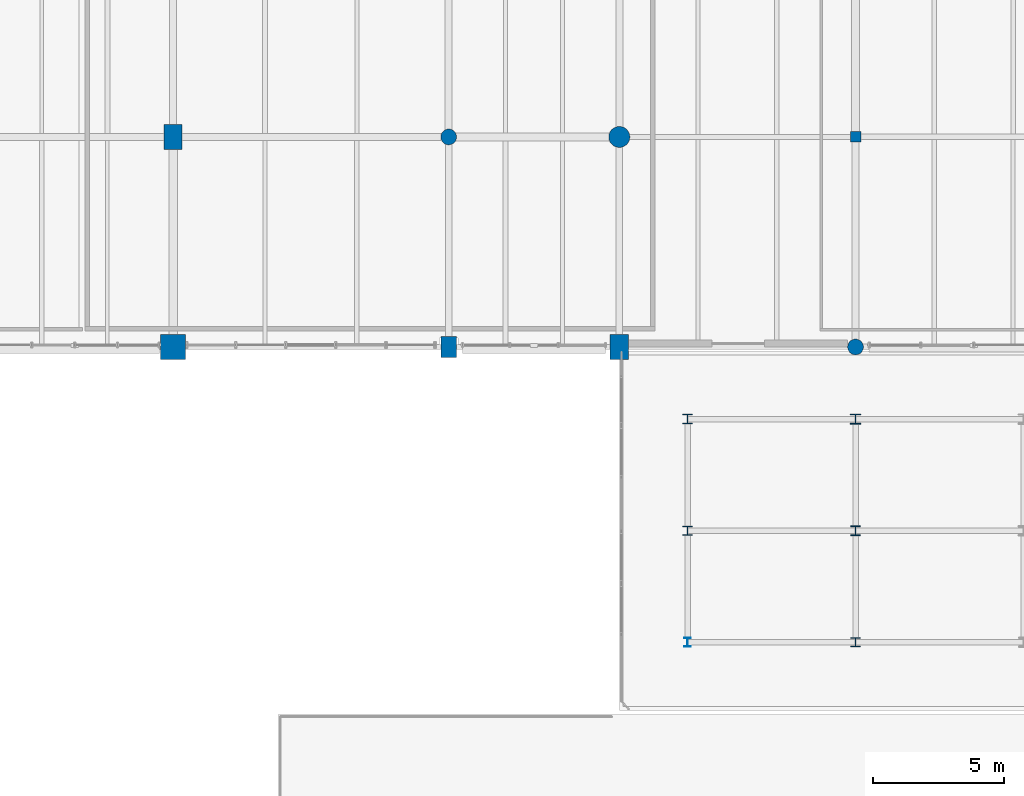
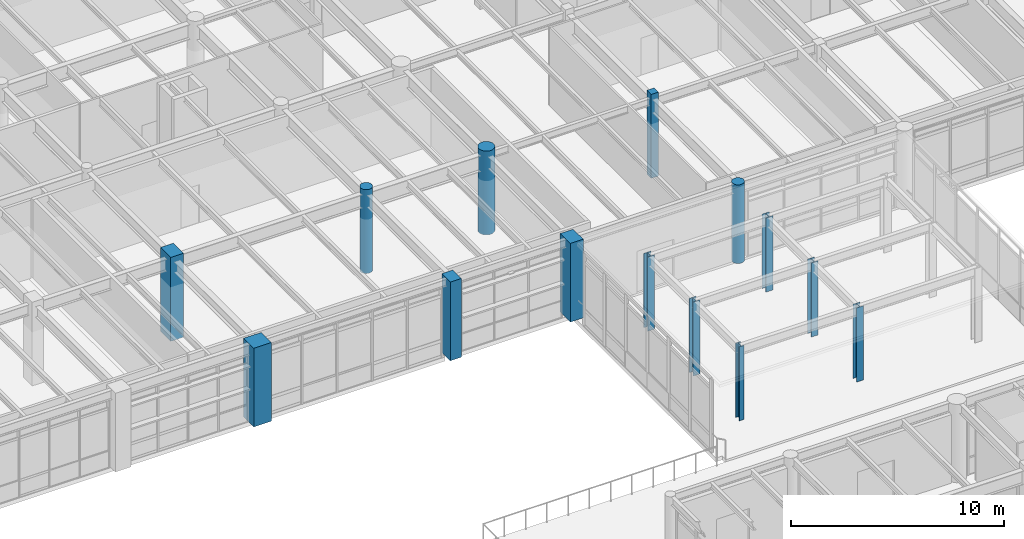
# One storey, part 6 of 200: 14 columns.
"""IFC4 building model written with IfcOpenShell, lengths in metres."""

from ifc_helpers import new_model, si_unit, direction, frame, origin, origin_2d, place, context, subcontext, project, spatial, rectangle, circle, i_section, extrude, material, material_profile, profile_set, type_object, element, save


model = new_model("IFC4")

# Units and contexts
model_context = context("Model", 3, precision=1e-05, world=origin(), true_north=direction((0.0, 1.0)))
body_context = subcontext(model_context, "Body", "Model", "MODEL_VIEW")
ifc_project = project(units=[si_unit("LENGTHUNIT", "METRE"), si_unit("AREAUNIT", "SQUARE_METRE"), si_unit("VOLUMEUNIT", "CUBIC_METRE"), si_unit("PLANEANGLEUNIT", "RADIAN"), si_unit("MASSUNIT", "GRAM", prefix="KILO"), si_unit("THERMODYNAMICTEMPERATUREUNIT", "KELVIN"), si_unit("POWERUNIT", "WATT")], contexts=[model_context])

# Site, building, storey
site_placement = place(None, origin())
site = spatial("IfcSite", under=ifc_project, at=site_placement, CompositionType="ELEMENT")
building_placement = place(site_placement, origin())
building = spatial("IfcBuilding", under=site, at=building_placement, Name="Tepalcoro Natatorium and Aquatics Centre", CompositionType="ELEMENT")
storey_placement = place(building_placement, frame((0.0, 0.0, 5.39990234375)))
storey = spatial("IfcBuildingStorey", under=building, at=storey_placement, Name="L01", CompositionType="ELEMENT", Elevation=5.39990234375)

# Columns
ifc_material_1 = material(Name="Concrete C40/50 (fc 40 MPa)", Category="concrete")
ifc_material_profile_1 = material_profile(ifc_material_1, rectangle(XDim=0.39990234375, YDim=0.39990234375, at=origin_2d()), Name="RC400x400")
ifc_profile_set_1 = profile_set([ifc_material_profile_1], Name="Concrete C40/50 (fc 40 MPa)")
column_type_1 = type_object("IfcColumnType", Name="COL_RC_400x400", PredefinedType="COLUMN", material=ifc_profile_set_1)
column_1_placement = place(storey_placement, frame((62.0, 94.0, 0.0), z_axis=(0.0, 0.0, 1.0), x_axis=(1.0, 0.0, 0.0)))
element("IfcColumn", 1, at=column_1_placement, inside=storey, type_object=column_type_1, Name="V4 L01 Grid Column (62.0, 94.0)", PredefinedType="COLUMN", context=body_context, shape_type="SweptSolid", body=[
    extrude(rectangle(XDim=0.39990234375, YDim=0.39990234375, at=origin_2d()), origin(), (0.0, 0.0, 1.0), 4.800048828125),
])
ifc_material_profile_2 = material_profile(ifc_material_1, rectangle(XDim=0.60009765625, YDim=0.800048828125, at=origin_2d()), Name="RC600x800")
ifc_profile_set_2 = profile_set([ifc_material_profile_2], Name="Concrete C40/50 (fc 40 MPa)")
column_type_2 = type_object("IfcColumnType", Name="COL_RC_600x800", PredefinedType="COLUMN", material=ifc_profile_set_2)
column_2_placement = place(storey_placement, frame((46.5, 86.0, 0.0), z_axis=(0.0, 0.0, 1.0), x_axis=(1.0, 0.0, 0.0)))
element("IfcColumn", 2, at=column_2_placement, inside=storey, type_object=column_type_2, Name="V4 L01 Grid Column (46.5, 86.0)", PredefinedType="COLUMN", context=body_context, shape_type="SweptSolid", body=[
    extrude(rectangle(XDim=0.60009765625, YDim=0.800048828125, at=origin_2d()), origin(), (0.0, 0.0, 1.0), 4.5),
])
ifc_material_profile_3 = material_profile(ifc_material_1, rectangle(XDim=0.699951171875, YDim=0.949951171875, at=origin_2d()), Name="RC700x950")
ifc_profile_set_3 = profile_set([ifc_material_profile_3], Name="Concrete C40/50 (fc 40 MPa)")
column_type_3 = type_object("IfcColumnType", Name="COL_RC_700x950", PredefinedType="COLUMN", material=ifc_profile_set_3)
column_3_placement = place(storey_placement, frame((36.0, 94.0, 0.0), z_axis=(0.0, 0.0, 1.0), x_axis=(1.0, 0.0, 0.0)))
element("IfcColumn", 3, at=column_3_placement, inside=storey, type_object=column_type_3, Name="V4 L01 Grid Column (36.0, 94.0)", PredefinedType="COLUMN", context=body_context, shape_type="SweptSolid", body=[
    extrude(rectangle(XDim=0.699951171875, YDim=0.949951171875, at=origin_2d()), origin(), (0.0, 0.0, 1.0), 4.800048828125),
])
column_4_placement = place(storey_placement, frame((53.0, 86.0, 0.0), z_axis=(0.0, 0.0, 1.0), x_axis=(1.0, 0.0, 0.0)))
element("IfcColumn", 4, at=column_4_placement, inside=storey, type_object=column_type_3, Name="V4 L01 Grid Column (53.0, 86.0)", PredefinedType="COLUMN", context=body_context, shape_type="SweptSolid", body=[
    extrude(rectangle(XDim=0.699951171875, YDim=0.949951171875, at=origin_2d()), origin(), (0.0, 0.0, 1.0), 4.5),
])
ifc_material_profile_4 = material_profile(ifc_material_1, rectangle(XDim=0.949951171875, YDim=0.949951171875, at=origin_2d()), Name="RC950x950")
ifc_profile_set_4 = profile_set([ifc_material_profile_4], Name="Concrete C40/50 (fc 40 MPa)")
column_type_4 = type_object("IfcColumnType", Name="COL_RC_950x950", PredefinedType="COLUMN", material=ifc_profile_set_4)
column_5_placement = place(storey_placement, frame((36.0, 86.0, 0.0), z_axis=(0.0, 0.0, 1.0), x_axis=(1.0, 0.0, 0.0)))
element("IfcColumn", 5, at=column_5_placement, inside=storey, type_object=column_type_4, Name="V4 L01 Grid Column (36.0, 86.0)", PredefinedType="COLUMN", context=body_context, shape_type="SweptSolid", body=[
    extrude(rectangle(XDim=0.949951171875, YDim=0.949951171875, at=origin_2d()), origin(), (0.0, 0.0, 1.0), 4.5),
])
ifc_material_profile_5 = material_profile(ifc_material_1, circle(Radius=0.300048828125, at=origin_2d()), Name="RCD600")
ifc_profile_set_5 = profile_set([ifc_material_profile_5], Name="Concrete C40/50 (fc 40 MPa)")
column_type_5 = type_object("IfcColumnType", Name="COL_RC_D600", PredefinedType="COLUMN", material=ifc_profile_set_5)
column_6_placement = place(storey_placement, frame((46.5, 94.0, 0.0), z_axis=(0.0, 0.0, 1.0), x_axis=(1.0, 0.0, 0.0)))
element("IfcColumn", 6, at=column_6_placement, inside=storey, type_object=column_type_5, Name="V4 L01 Grid Column (46.5, 94.0)", PredefinedType="COLUMN", context=body_context, shape_type="SweptSolid", body=[
    extrude(circle(Radius=0.300048828125, at=origin_2d()), origin(), (0.0, 0.0, 1.0), 4.800048828125),
])
column_7_placement = place(storey_placement, frame((62.0, 86.0, 0.0), z_axis=(0.0, 0.0, 1.0), x_axis=(1.0, 0.0, 0.0)))
element("IfcColumn", 7, at=column_7_placement, inside=storey, type_object=column_type_5, Name="V4 L01 Grid Column (62.0, 86.0)", PredefinedType="COLUMN", context=body_context, shape_type="SweptSolid", body=[
    extrude(circle(Radius=0.300048828125, at=origin_2d()), origin(), (0.0, 0.0, 1.0), 4.5),
])
ifc_material_profile_6 = material_profile(ifc_material_1, circle(Radius=0.39990234375, at=origin_2d()), Name="RCD800")
ifc_profile_set_6 = profile_set([ifc_material_profile_6], Name="Concrete C40/50 (fc 40 MPa)")
column_type_6 = type_object("IfcColumnType", Name="COL_RC_D800", PredefinedType="COLUMN", material=ifc_profile_set_6)
column_8_placement = place(storey_placement, frame((53.0, 94.0, 0.0), z_axis=(0.0, 0.0, 1.0), x_axis=(1.0, 0.0, 0.0)))
element("IfcColumn", 8, at=column_8_placement, inside=storey, type_object=column_type_6, Name="V4 L01 Grid Column (53.0, 94.0)", PredefinedType="COLUMN", context=body_context, shape_type="SweptSolid", body=[
    extrude(circle(Radius=0.39990234375, at=origin_2d()), origin(), (0.0, 0.0, 1.0), 4.800048828125),
])
ifc_material_2 = material(Name="Steel ASTM A992 Grade 50 (Fy 345 MPa)", Category="steel")
ifc_material_profile_7 = material_profile(ifc_material_2, i_section(OverallWidth=0.373046875, OverallDepth=0.367919921875, WebThickness=0.014892578125, FlangeThickness=0.02392578125, FilletRadius=0.013916015625, at=origin_2d()), Name="W14X120")
ifc_profile_set_7 = profile_set([ifc_material_profile_7], Name="Steel ASTM A992 Grade 50 (Fy 345 MPa)")
column_type_7 = type_object("IfcColumnType", Name="COL_W14x120", PredefinedType="COLUMN", material=ifc_profile_set_7)
for number, where, z_axis, x_axis, name in (
    (9, (55.60009765625, 83.25, 0.0), (0.0, 0.0, 1.0), (1.0, 0.0, 0.0), "West Court Swimmers Arcade Column L01"),
    (10, (62.0, 79.0, 0.0), (0.0, 0.0, 1.0), (1.0, 0.0, 0.0), "West Court Swimmers Arcade Column L01"),
):
    element("IfcColumn", number, at=place(storey_placement, frame(where, z_axis=z_axis, x_axis=x_axis)), inside=storey, type_object=column_type_7, Name=name, PredefinedType="COLUMN", context=body_context, shape_type="SweptSolid", body=[
        extrude(i_section(OverallWidth=0.373046875, OverallDepth=0.367919921875, WebThickness=0.014892578125, FlangeThickness=0.02392578125, FilletRadius=0.013916015625, at=origin_2d()), origin(), (0.0, 0.0, 1.0), 4.239990234375),
    ])
ifc_material_profile_8 = material_profile(ifc_material_2, i_section(OverallWidth=0.39404296875, OverallDepth=0.3759765625, WebThickness=0.01708984375, FlangeThickness=0.028076171875, FilletRadius=0.013916015625, at=origin_2d()), Name="W14X145")
ifc_profile_set_8 = profile_set([ifc_material_profile_8], Name="Steel ASTM A992 Grade 50 (Fy 345 MPa)")
column_type_8 = type_object("IfcColumnType", Name="COL_W14x145", PredefinedType="COLUMN", material=ifc_profile_set_8)
column_9_placement = place(storey_placement, frame((62.0, 83.25, 0.0), z_axis=(0.0, 0.0, 1.0), x_axis=(1.0, 0.0, 0.0)))
element("IfcColumn", 11, at=column_9_placement, inside=storey, type_object=column_type_8, Name="West Court Swimmers Arcade Column L01", PredefinedType="COLUMN", context=body_context, shape_type="SweptSolid", body=[
    extrude(i_section(OverallWidth=0.39404296875, OverallDepth=0.3759765625, WebThickness=0.01708984375, FlangeThickness=0.028076171875, FilletRadius=0.013916015625, at=origin_2d()), origin(), (0.0, 0.0, 1.0), 4.239990234375),
])
ifc_material_profile_9 = material_profile(ifc_material_2, i_section(OverallWidth=0.25390625, OverallDepth=0.35595703125, WebThickness=0.010986328125, FlangeThickness=0.01806640625, FilletRadius=0.013916015625, at=origin_2d()), Name="W14X68")
ifc_profile_set_9 = profile_set([ifc_material_profile_9], Name="Steel ASTM A992 Grade 50 (Fy 345 MPa)")
column_type_9 = type_object("IfcColumnType", Name="COL_W14x68", PredefinedType="COLUMN", material=ifc_profile_set_9)
column_10_placement = place(storey_placement, frame((55.60009765625, 74.75, 0.0), z_axis=(0.0, 0.0, 1.0), x_axis=(1.0, 0.0, 0.0)))
element("IfcColumn", 12, at=column_10_placement, inside=storey, type_object=column_type_9, Name="West Court Swimmers Arcade Column L01", PredefinedType="COLUMN", context=body_context, shape_type="SweptSolid", body=[
    extrude(i_section(OverallWidth=0.25390625, OverallDepth=0.35595703125, WebThickness=0.010986328125, FlangeThickness=0.01806640625, FilletRadius=0.013916015625, at=origin_2d()), origin(), (0.0, 0.0, 1.0), 4.239990234375),
])
ifc_material_profile_10 = material_profile(ifc_material_2, i_section(OverallWidth=0.367919921875, OverallDepth=0.35595703125, WebThickness=0.010986328125, FlangeThickness=0.01806640625, FilletRadius=0.013916015625, at=origin_2d()), Name="W14X90")
ifc_profile_set_10 = profile_set([ifc_material_profile_10], Name="Steel ASTM A992 Grade 50 (Fy 345 MPa)")
column_type_10 = type_object("IfcColumnType", Name="COL_W14x90", PredefinedType="COLUMN", material=ifc_profile_set_10)
for number, where, z_axis, x_axis, name in (
    (13, (55.60009765625, 79.0, 0.0), (0.0, 0.0, 1.0), (1.0, 0.0, 0.0), "West Court Swimmers Arcade Column L01"),
    (14, (62.0, 74.75, 0.0), (0.0, 0.0, 1.0), (1.0, 0.0, 0.0), "West Court Swimmers Arcade Column L01"),
):
    element("IfcColumn", number, at=place(storey_placement, frame(where, z_axis=z_axis, x_axis=x_axis)), inside=storey, type_object=column_type_10, Name=name, PredefinedType="COLUMN", context=body_context, shape_type="SweptSolid", body=[
        extrude(i_section(OverallWidth=0.367919921875, OverallDepth=0.35595703125, WebThickness=0.010986328125, FlangeThickness=0.01806640625, FilletRadius=0.013916015625, at=origin_2d()), origin(), (0.0, 0.0, 1.0), 4.239990234375),
    ])

save(model, "model.ifc")
